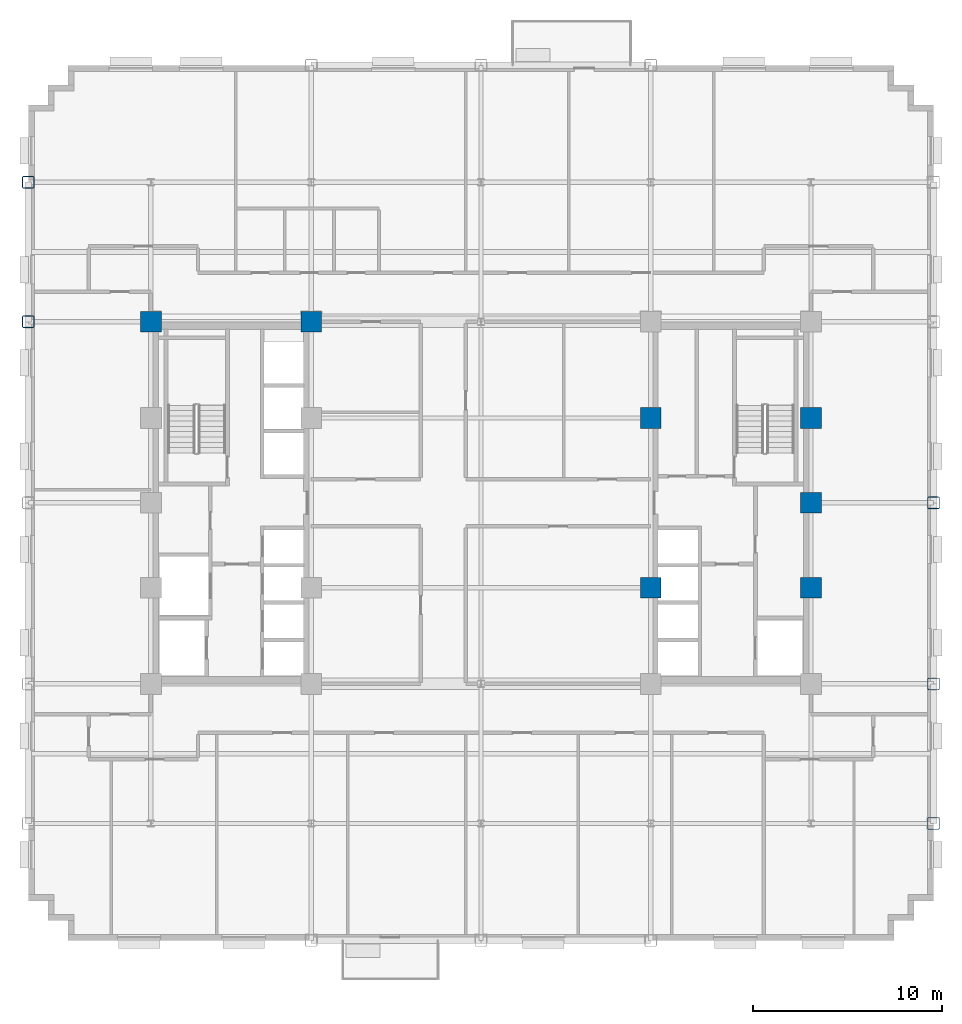
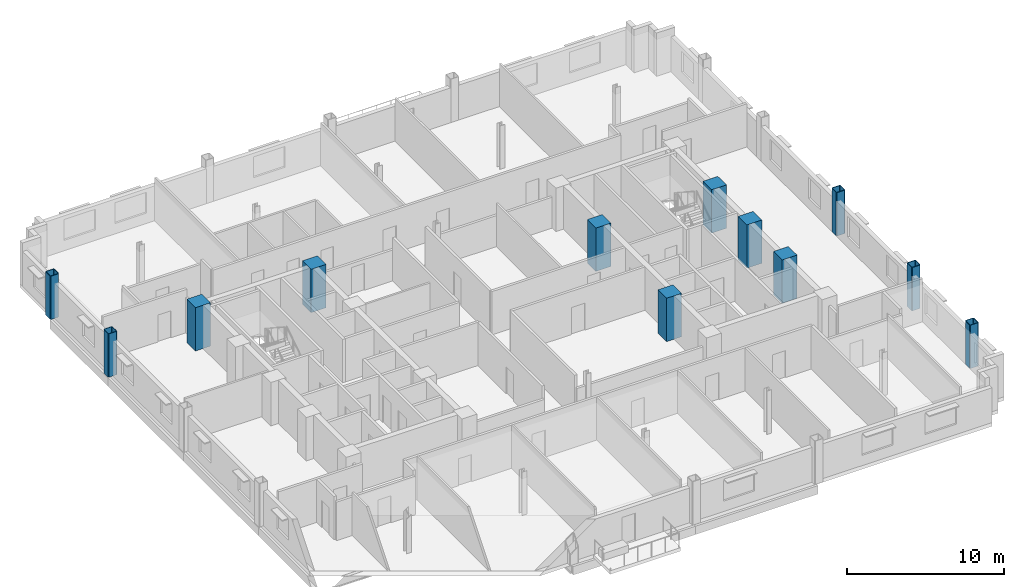
# One storey, part 2 of 14: 12 columns.
"""IFC4 building model written with IfcOpenShell, lengths in metres."""

from ifc_helpers import new_model, si_unit, direction, frame, origin, origin_2d, place, context, subcontext, project, spatial, rectangle, hollow_rectangle, extrude, material, material_profile, profile_set, type_object, element, save


model = new_model("IFC4")

# Units and contexts
model_context = context("Model", 3, precision=1e-05, world=origin(), true_north=direction((0.0, 1.0)))
body_context = subcontext(model_context, "Body", "Model", "MODEL_VIEW")
ifc_project = project(units=[si_unit("LENGTHUNIT", "METRE"), si_unit("AREAUNIT", "SQUARE_METRE"), si_unit("VOLUMEUNIT", "CUBIC_METRE"), si_unit("PLANEANGLEUNIT", "RADIAN"), si_unit("MASSUNIT", "GRAM", prefix="KILO")], contexts=[model_context])

# Site, building, storey
site_placement = place(None, origin())
site = spatial("IfcSite", under=ifc_project, at=site_placement, CompositionType="ELEMENT")
building_placement = place(site_placement, origin())
building = spatial("IfcBuilding", under=site, at=building_placement, Name="Nuvemarco Arch Tower", CompositionType="ELEMENT")
storey_placement = place(building_placement, frame((0.0, 0.0, 98.300048828125)))
storey = spatial("IfcBuildingStorey", under=building, at=storey_placement, Name="L25", CompositionType="ELEMENT", Elevation=98.300048828125)

# Columns
ifc_material_1 = material(Name="Concrete C60/75", Category="concrete")
ifc_material_profile_1 = material_profile(ifc_material_1, rectangle(XDim=1.10009765625, YDim=1.10009765625, at=origin_2d()), Name="RC-COL-1100x1100")
ifc_profile_set_1 = profile_set([ifc_material_profile_1], Name="Concrete C60/75")
column_type_1 = type_object("IfcColumnType", Name="COL-CORE-1100", PredefinedType="COLUMN", material=ifc_profile_set_1)
for number, where, z_axis, x_axis, name in (
    (1, (-17.5, 9.60009765625, 0.0), (0.0, 0.0, 1.0), (1.0, 0.0, 0.0), "L25 column CC_-17.5_+9.6"),
    (2, (-9.0, 9.60009765625, 0.0), (0.0, 0.0, 1.0), (1.0, 0.0, 0.0), "L25 column CC_-9.0_+9.6"),
    (3, (9.0, -4.5, 0.0), (0.0, 0.0, 1.0), (1.0, 0.0, 0.0), "L25 column CC_+9.0_-4.5"),
    (4, (9.0, 4.5, 0.0), (0.0, 0.0, 1.0), (1.0, 0.0, 0.0), "L25 column CC_+9.0_+4.5"),
    (5, (17.5, -4.5, 0.0), (0.0, 0.0, 1.0), (1.0, 0.0, 0.0), "L25 column CC_+17.5_-4.5"),
    (6, (17.5, 4.5, 0.0), (0.0, 0.0, 1.0), (1.0, 0.0, 0.0), "L25 column CC_+17.5_+4.5"),
    (7, (17.5, 0.0, 0.0), (0.0, 0.0, 1.0), (1.0, 0.0, 0.0), "L25 column CC_+17.5_+0.0"),
):
    element("IfcColumn", number, at=place(storey_placement, frame(where, z_axis=z_axis, x_axis=x_axis)), inside=storey, type_object=column_type_1, Name=name, PredefinedType="COLUMN", context=body_context, shape_type="SweptSolid", body=[
        extrude(rectangle(XDim=1.10009765625, YDim=1.10009765625, at=origin_2d()), origin(), (0.0, 0.0, 1.0), 3.369873046875),
    ])
ifc_material_2 = material(Name="Steel S355", Category="steel")
ifc_material_profile_2 = material_profile(ifc_material_2, hollow_rectangle(XDim=0.64990234375, YDim=0.64990234375, WallThickness=0.0400390625, InnerFilletRadius=0.0400390625, OuterFilletRadius=0.080078125, at=origin_2d()), Name="SHS650x650x40")
ifc_profile_set_2 = profile_set([ifc_material_profile_2], Name="Steel S355")
column_type_2 = type_object("IfcColumnType", Name="COL-EXO-650", PredefinedType="COLUMN", material=ifc_profile_set_2)
for number, where, z_axis, x_axis, name in (
    (8, (-24.0, 9.60009765625, 0.0), (0.0, 0.0, 1.0), (1.0, 0.0, 0.0), "L25 column CX_-24.0_+9.6"),
    (9, (-24.0, 17.0, 0.0), (0.0, 0.0, 1.0), (1.0, 0.0, 0.0), "L25 column CX_-24.0_+17.0"),
    (10, (24.0, -17.0, 0.0), (0.0, 0.0, 1.0), (1.0, 0.0, 0.0), "L25 column CX_+24.0_-17.0"),
    (11, (24.0, -9.60009765625, 0.0), (0.0, 0.0, 1.0), (1.0, 0.0, 0.0), "L25 column CX_+24.0_-9.6"),
    (12, (24.0, 0.0, 0.0), (0.0, 0.0, 1.0), (1.0, 0.0, 0.0), "L25 column CX_+24.0_+0.0"),
):
    element("IfcColumn", number, at=place(storey_placement, frame(where, z_axis=z_axis, x_axis=x_axis)), inside=storey, type_object=column_type_2, Name=name, PredefinedType="COLUMN", context=body_context, shape_type="SweptSolid", body=[
        extrude(hollow_rectangle(XDim=0.64990234375, YDim=0.64990234375, WallThickness=0.0400390625, InnerFilletRadius=0.0400390625, OuterFilletRadius=0.080078125, at=origin_2d()), origin(), (0.0, 0.0, 1.0), 3.369873046875),
    ])

save(model, "model.ifc")
